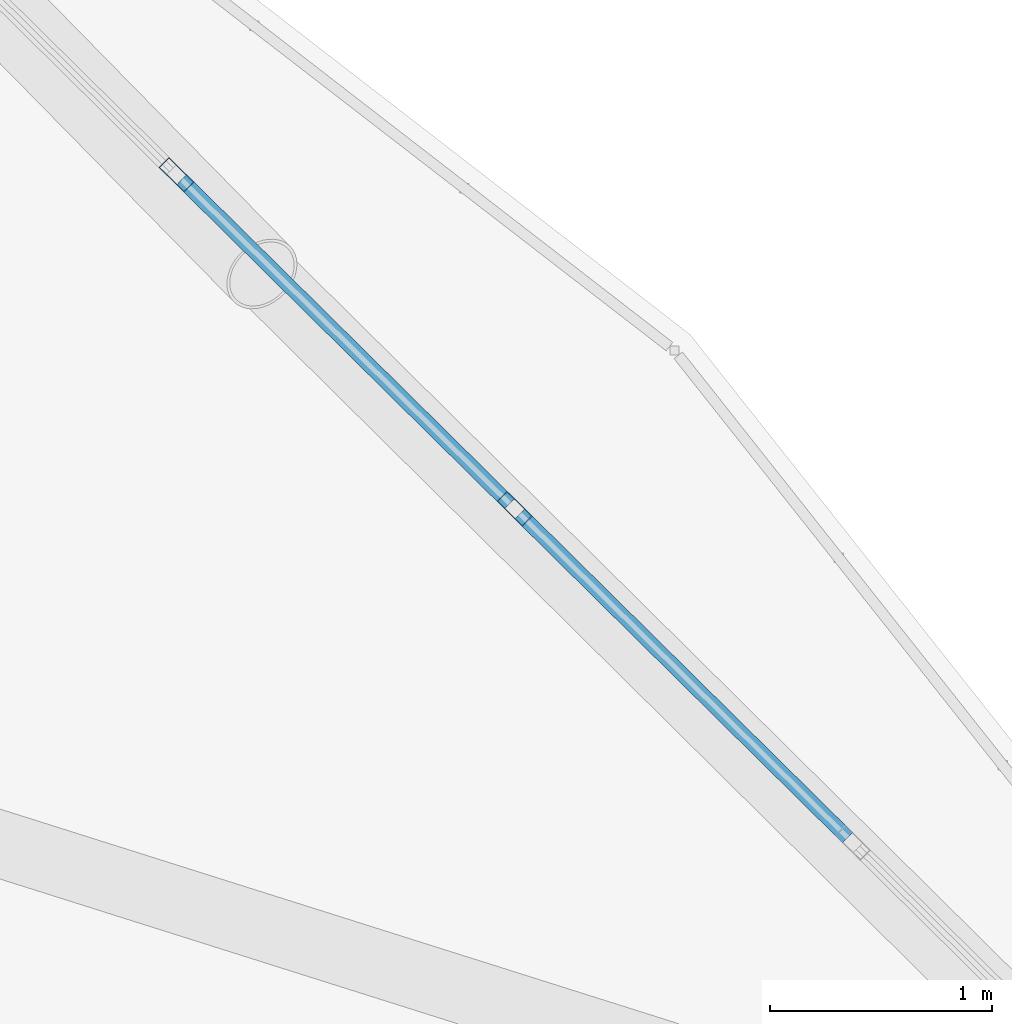
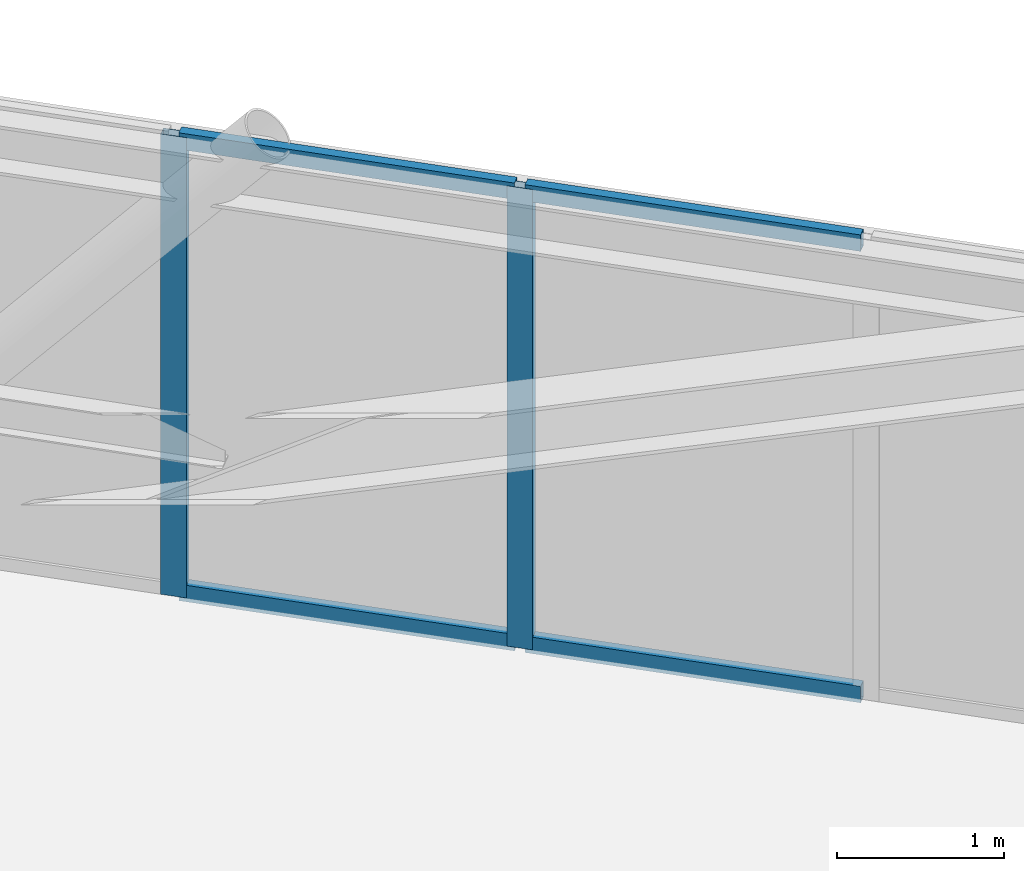
# One storey, part 14 of 26: 6 members, 1 element without a shape of its own.
"""IFC4 building model written with IfcOpenShell, lengths in metres."""

import ifcopenshell
import ifcopenshell.guid

model = None  # the IFC model being written
_history = None  # IfcOwnerHistory: only IFC2X3 demands one
_inside = {}  # id of a spatial element -> (the spatial element, [elements in it])
_under = {}  # id of a project, library or spatial element -> (it, [spatial elements below it])
_declared = {}  # id of a project -> (the project, [libraries it declares])
_typed = {}  # id of a type object -> (the type object, [elements of that type])
_made_of = {}  # id of a material, layer set ... -> (it, [elements and type objects made of it])


def new_model(schema):
    """Start an empty IFC model of exactly this schema.

    Asked for "IFC4X3", IfcOpenShell would pick the latest addendum, in which some entities
    have other attributes; the version numbers below select the first issue.
    IFC2X3 requires an IfcOwnerHistory on every rooted entity: one is made here for all.
    """
    global model, _history
    if schema == "IFC4X3":
        model = ifcopenshell.file(schema_version=(4, 3, 0, 0))
    else:
        model = ifcopenshell.file(schema=schema)
    _inside.clear()
    _under.clear()
    _declared.clear()
    _typed.clear()
    _made_of.clear()
    _history = None
    if model.schema == "IFC2X3":
        org = make("IfcOrganization", Name="unknown")
        user = make(
            "IfcPersonAndOrganization",
            ThePerson=make("IfcPerson", FamilyName="unknown"),
            TheOrganization=org,
        )
        app = make(
            "IfcApplication",
            ApplicationDeveloper=org,
            Version="unknown",
            ApplicationFullName="unknown",
            ApplicationIdentifier="unknown",
        )
        _history = make(
            "IfcOwnerHistory",
            OwningUser=user,
            OwningApplication=app,
            ChangeAction="ADDED",
            CreationDate=0,
        )
    return model


def make(cls, **values):
    """One entity of the class cls with the attributes given. An attribute that is None is left unset."""
    return model.create_entity(
        cls, **{name: value for name, value in values.items() if value is not None}
    )


def rooted(cls, **values):
    """An entity with a GlobalId (a new one), such as an element, a storey or a relation."""
    return make(cls, GlobalId=ifcopenshell.guid.new(), OwnerHistory=_history, **values)


def si_unit(unit_type, name, prefix=None):
    """IfcSIUnit, for example si_unit("LENGTHUNIT", "METRE", prefix="MILLI")."""
    return make("IfcSIUnit", UnitType=unit_type, Prefix=prefix, Name=name)


def assignment(units):
    """IfcUnitAssignment: the units of a project."""
    return None if units is None else make("IfcUnitAssignment", Units=units)


def point(xyz):
    """IfcCartesianPoint."""
    return None if xyz is None else make("IfcCartesianPoint", Coordinates=xyz)


def direction(xyz):
    """IfcDirection."""
    return None if xyz is None else make("IfcDirection", DirectionRatios=xyz)


def frame(location, z_axis=None, x_axis=None):
    """IfcAxis2Placement3D, a coordinate frame: its origin and axes. An axis left out is left unset."""
    return make(
        "IfcAxis2Placement3D",
        Location=point(location),
        Axis=direction(z_axis),
        RefDirection=direction(x_axis),
    )


def frame_2d(location, x_axis=None):
    """IfcAxis2Placement2D, a coordinate frame in the plane: its origin and x axis."""
    return make(
        "IfcAxis2Placement2D", Location=point(location), RefDirection=direction(x_axis)
    )


def origin():
    """The frame at (0, 0, 0) with its axes left unset."""
    return frame((0.0, 0.0, 0.0))


def origin_2d():
    """The frame at (0, 0) in the plane with its x axis left unset."""
    return frame_2d((0.0, 0.0))


def place(relative_to, where):
    """IfcLocalPlacement: puts the frame where relative to a parent placement (None: the world)."""
    return make(
        "IfcLocalPlacement", PlacementRelTo=relative_to, RelativePlacement=where
    )


def context(
    kind, dimensions, precision=None, world=None, true_north=None, identifier=None
):
    """IfcGeometricRepresentationContext, for example the 3D "Model" context."""
    return make(
        "IfcGeometricRepresentationContext",
        ContextIdentifier=identifier,
        ContextType=kind,
        CoordinateSpaceDimension=dimensions,
        Precision=precision,
        WorldCoordinateSystem=world,
        TrueNorth=true_north,
    )


def subcontext(parent, identifier, kind, view, scale=None):
    """IfcGeometricRepresentationSubContext, for example "Body" below "Model"."""
    return make(
        "IfcGeometricRepresentationSubContext",
        ContextIdentifier=identifier,
        ContextType=kind,
        ParentContext=parent,
        TargetScale=scale,
        TargetView=view,
    )


def project(units=None, contexts=None):
    """IfcProject with its units and contexts."""
    return rooted(
        "IfcProject",
        Name="project",
        RepresentationContexts=contexts,
        UnitsInContext=assignment(units),
    )


def spatial(cls, under=None, at=None, **own):
    """A site, building, storey or space (cls), placed at a placement, below another one or the project."""
    s = rooted(cls, ObjectPlacement=at, **own)
    if under is not None:
        _under.setdefault(under.id(), (under, []))[1].append(s)
    return s


def profile(cls, at=None, kind="AREA", **sizes):
    """A parametric profile (cls). Its sizes go by their IFC names, for example OverallWidth=200.0."""
    return make(cls, ProfileType=kind, Position=at, **sizes)


def hollow_rectangle(**sizes):
    """IfcRectangleHollowProfileDef."""
    return profile("IfcRectangleHollowProfileDef", **sizes)


def extrude(swept, where, along, depth):
    """IfcExtrudedAreaSolid: the profile swept, set in the frame where, extruded along a direction by depth."""
    return make(
        "IfcExtrudedAreaSolid",
        SweptArea=swept,
        Position=where,
        ExtrudedDirection=direction(along),
        Depth=depth,
    )


def shape(context_of_items, identifier, shape_type, items):
    """IfcShapeRepresentation: the items that make up one representation, for example the "Body"."""
    return make(
        "IfcShapeRepresentation",
        ContextOfItems=context_of_items,
        RepresentationIdentifier=identifier,
        RepresentationType=shape_type,
        Items=items,
    )


def material(Name=None, Category=None):
    """IfcMaterial."""
    return make("IfcMaterial", Name=Name, Category=Category)


def layer(
    of_material, thickness, ventilated=None, Name=None, Category=None, Priority=None
):
    """IfcMaterialLayer: one layer of a wall or slab, of a material (None: an air gap)."""
    return make(
        "IfcMaterialLayer",
        Material=of_material,
        LayerThickness=thickness,
        IsVentilated=ventilated,
        Name=Name,
        Category=Category,
        Priority=Priority,
    )


def layer_set(layers, Name=None):
    """IfcMaterialLayerSet."""
    return make("IfcMaterialLayerSet", MaterialLayers=layers, LayerSetName=Name)


def material_profile(
    of_material, cross_section, Name=None, Category=None, Priority=None
):
    """IfcMaterialProfile: a cross section and its material."""
    return make(
        "IfcMaterialProfile",
        Name=Name,
        Material=of_material,
        Profile=cross_section,
        Priority=Priority,
        Category=Category,
    )


def profile_set(profiles, Name=None, composite=None):
    """IfcMaterialProfileSet."""
    return make(
        "IfcMaterialProfileSet",
        Name=Name,
        MaterialProfiles=profiles,
        CompositeProfile=composite,
    )


def made_of(thing, what):
    """Note that an element or type object is made of a material, layer set ...; save() writes the relation."""
    if what is not None:
        _made_of.setdefault(what.id(), (what, []))[1].append(thing)
    return thing


def type_object(cls, material=None, **own):
    """A type object (cls), such as IfcWallType, which elements share."""
    return made_of(rooted(cls, **own), material)


def element(
    cls,
    number,
    at=None,
    inside=None,
    cuts=None,
    type_object=None,
    material=None,
    context=None,
    identifier="Body",
    shape_type=None,
    held_by="IfcProductDefinitionShape",
    body=None,
    shapes=None,
    **own,
):
    """One element of the class cls, such as IfcWall. Its Tag is "e" and its number.

    at: its placement. inside: the storey or other place that contains it. cuts: it is an
    opening in that element (IfcRelVoidsElement). A single representation is given by context,
    identifier, shape_type and body (its items); several are given by shapes. held_by: the class
    of the entity that holds the representations. save() writes the other relations.
    """
    e = rooted(cls, Tag="e%d" % number, ObjectPlacement=at, **own)
    if body is not None:
        shapes = [shape(context, identifier, shape_type, body)]
    if shapes is not None:
        e.Representation = make(held_by, Representations=shapes)
    if inside is not None:
        _inside.setdefault(inside.id(), (inside, []))[1].append(e)
    if cuts is not None:
        rooted(
            "IfcRelVoidsElement", RelatingBuildingElement=cuts, RelatedOpeningElement=e
        )
    if type_object is not None:
        _typed.setdefault(type_object.id(), (type_object, []))[1].append(e)
    return made_of(e, material)


def aggregate(whole, parts):
    """IfcRelAggregates: a whole, such as a stair, and the parts it consists of."""
    return rooted("IfcRelAggregates", RelatingObject=whole, RelatedObjects=parts)


def save(model, path):
    """Write the relations noted so far, then the file.

    IfcRelAggregates (storeys below a building ...), IfcRelContainedInSpatialStructure (elements
    in a storey), IfcRelDefinesByType, IfcRelAssociatesMaterial and IfcRelDeclares: one each for
    every whole, place, type object, material and project.
    """
    for whole, parts in _under.values():
        aggregate(whole, parts)
    for where, things in _inside.values():
        rooted(
            "IfcRelContainedInSpatialStructure",
            RelatedElements=things,
            RelatingStructure=where,
        )
    for kind, things in _typed.values():
        rooted("IfcRelDefinesByType", RelatedObjects=things, RelatingType=kind)
    for what, things in _made_of.values():
        rooted("IfcRelAssociatesMaterial", RelatedObjects=things, RelatingMaterial=what)
    for by, libraries in _declared.values():
        rooted("IfcRelDeclares", RelatingContext=by, RelatedDefinitions=libraries)
    model.write(path)


model = new_model("IFC4")

# Units and contexts
model_context = context("Model", 3, precision=1e-05, world=origin(), true_north=direction((0.0, 1.0)))
body_context = subcontext(model_context, "Body", "Model", "MODEL_VIEW")
ifc_project = project(units=[si_unit("LENGTHUNIT", "METRE"), si_unit("AREAUNIT", "SQUARE_METRE"), si_unit("VOLUMEUNIT", "CUBIC_METRE"), si_unit("PLANEANGLEUNIT", "RADIAN"), si_unit("MASSUNIT", "GRAM", prefix="KILO")], contexts=[model_context])

# Site, building, storey
site_placement = place(None, origin())
site = spatial("IfcSite", under=ifc_project, at=site_placement, CompositionType="ELEMENT")
building_placement = place(site_placement, origin())
building = spatial("IfcBuilding", under=site, at=building_placement, Name="Varnakorn Sky Granary", CompositionType="ELEMENT")
storey_placement = place(building_placement, frame((0.0, 0.0, 270.60009765625)))
storey = spatial("IfcBuildingStorey", under=building, at=storey_placement, Name="L69", CompositionType="ELEMENT", Elevation=270.60009765625)

# Curtain wall, members
ifc_material = material(Name="Anodised Bronze Aluminium Alloy 6063-T6", Category="aluminium")
ifc_layer = layer(ifc_material, 0.159912109375, Name="Anodised Bronze Aluminium Alloy 6063-T6")
ifc_layer_set = layer_set([ifc_layer], Name="Anodised Bronze Aluminium Alloy 6063-T6")
curtain_wall_type = type_object("IfcCurtainWallType", Name="CW-OFF-1", PredefinedType="USERDEFINED", material=ifc_layer_set)
curtain_wall_placement = place(storey_placement, origin())
curtain_wall = element("IfcCurtainWall", 1, at=curtain_wall_placement, inside=storey, type_object=curtain_wall_type, Name="Unitised Curtain Wall CW6 CW-L69-B02", ObjectType="CURTAIN WALL", PredefinedType="USERDEFINED")
ifc_material_profile_1 = material_profile(ifc_material, hollow_rectangle(XDim=0.06494140625, YDim=0.159912109375, WallThickness=0.00341796875, at=origin_2d()), Name="ALU MULL 65x160")
ifc_profile_set_1 = profile_set([ifc_material_profile_1], Name="Anodised Bronze Aluminium Alloy 6063-T6")
member_type_1 = type_object("IfcMemberType", Name="CW-OFF-1-MULL", PredefinedType="MULLION", material=ifc_profile_set_1)
member_1_placement = place(storey_placement, frame((15.590576171875, 13.615966796875, 0.0), z_axis=(0.0, 0.0, 1.0), x_axis=(0.702728935419, 0.711457689062, 0.0)))
member_1 = element("IfcMember", 2, at=member_1_placement, type_object=member_type_1, Name="CW6 mullion 2", PredefinedType="MULLION", context=body_context, shape_type="SweptSolid", body=[
    extrude(hollow_rectangle(XDim=0.06494140625, YDim=0.159912109375, WallThickness=0.00341796875, at=origin_2d()), origin(), (0.0, 0.0, 1.0), 3.35986328125),
])
member_2_placement = place(storey_placement, frame((17.11279296875, 12.112548828125, 0.0), z_axis=(0.0, 0.0, 1.0), x_axis=(0.702728935419, 0.711457689062, 0.0)))
member_2 = element("IfcMember", 3, at=member_2_placement, type_object=member_type_1, Name="CW6 mullion 3", PredefinedType="MULLION", context=body_context, shape_type="SweptSolid", body=[
    extrude(hollow_rectangle(XDim=0.06494140625, YDim=0.159912109375, WallThickness=0.00341796875, at=origin_2d()), origin(), (0.0, 0.0, 1.0), 3.35986328125),
])
ifc_material_profile_2 = material_profile(ifc_material, hollow_rectangle(XDim=0.06494140625, YDim=0.1201171875, WallThickness=0.00341796875, at=origin_2d()), Name="ALU TRAN 65x120")
ifc_profile_set_2 = profile_set([ifc_material_profile_2], Name="Anodised Bronze Aluminium Alloy 6063-T6")
member_type_2 = type_object("IfcMemberType", Name="CW-OFF-1-TRAN", PredefinedType="USERDEFINED", material=ifc_profile_set_2)
member_3_placement = place(storey_placement, frame((15.61376953125, 13.59326171875, 0.032470703125), z_axis=(0.711447975493, -0.702738769506, 0.0), x_axis=(0.702738769506, 0.711447975493, 0.0)))
member_3 = element("IfcMember", 4, at=member_3_placement, type_object=member_type_2, Name="CW6 transom 2.1", ObjectType="TRANSOM", PredefinedType="USERDEFINED", context=body_context, shape_type="SweptSolid", body=[
    extrude(hollow_rectangle(XDim=0.06494140625, YDim=0.1201171875, WallThickness=0.00341796875, at=origin_2d()), origin(), (0.0, 0.0, 1.0), 2.074462890625),
])
member_4_placement = place(storey_placement, frame((15.61376953125, 13.59326171875, 3.327392578125), z_axis=(0.711447975493, -0.702738769506, 0.0), x_axis=(0.702738769506, 0.711447975493, 0.0)))
member_4 = element("IfcMember", 5, at=member_4_placement, type_object=member_type_2, Name="CW6 transom 2.2", ObjectType="TRANSOM", PredefinedType="USERDEFINED", context=body_context, shape_type="SweptSolid", body=[
    extrude(hollow_rectangle(XDim=0.06494140625, YDim=0.1201171875, WallThickness=0.00341796875, at=origin_2d()), origin(), (0.0, 0.0, 1.0), 2.074462890625),
])
member_5_placement = place(storey_placement, frame((17.135986328125, 12.089599609375, 0.032470703125), z_axis=(0.711447975493, -0.702738769506, 0.0), x_axis=(0.702738769506, 0.711447975493, 0.0)))
member_5 = element("IfcMember", 6, at=member_5_placement, type_object=member_type_2, Name="CW6 transom 3.1", ObjectType="TRANSOM", PredefinedType="USERDEFINED", context=body_context, shape_type="SweptSolid", body=[
    extrude(hollow_rectangle(XDim=0.06494140625, YDim=0.1201171875, WallThickness=0.00341796875, at=origin_2d()), origin(), (0.0, 0.0, 1.0), 2.074462890625),
])
member_6_placement = place(storey_placement, frame((17.135986328125, 12.089599609375, 3.327392578125), z_axis=(0.711447975493, -0.702738769506, 0.0), x_axis=(0.702738769506, 0.711447975493, 0.0)))
member_6 = element("IfcMember", 7, at=member_6_placement, type_object=member_type_2, Name="CW6 transom 3.2", ObjectType="TRANSOM", PredefinedType="USERDEFINED", context=body_context, shape_type="SweptSolid", body=[
    extrude(hollow_rectangle(XDim=0.06494140625, YDim=0.1201171875, WallThickness=0.00341796875, at=origin_2d()), origin(), (0.0, 0.0, 1.0), 2.074462890625),
])
aggregate(curtain_wall, [member_1, member_2, member_3, member_4, member_5, member_6])

save(model, "model.ifc")
